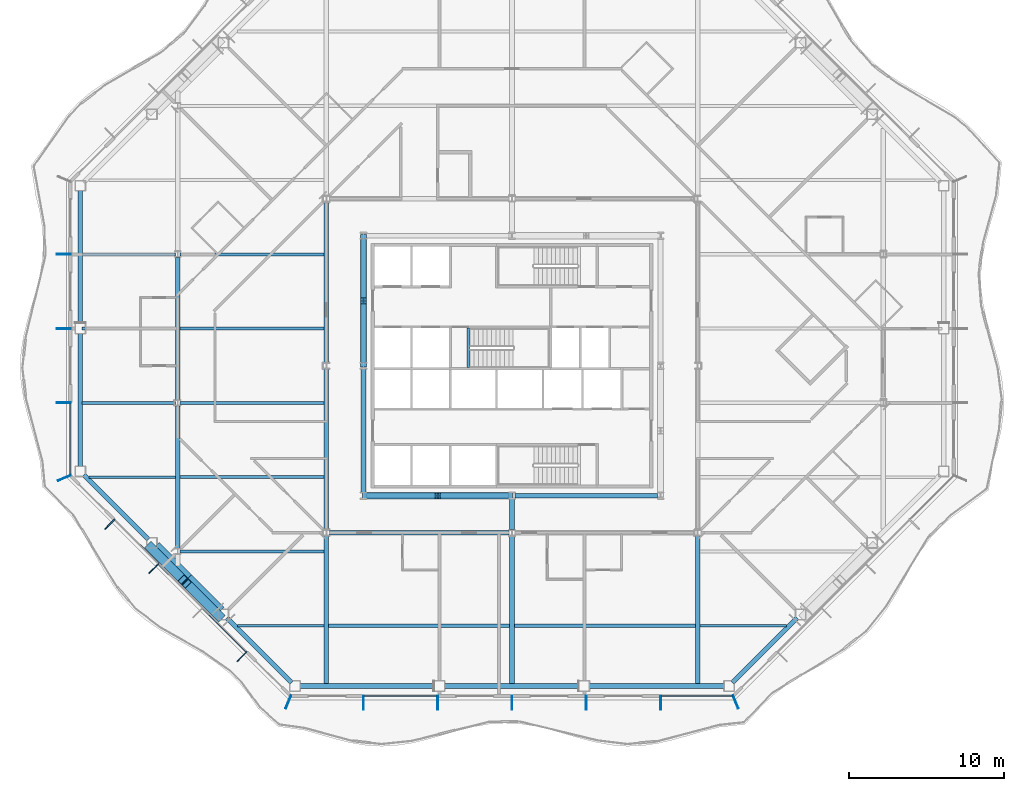
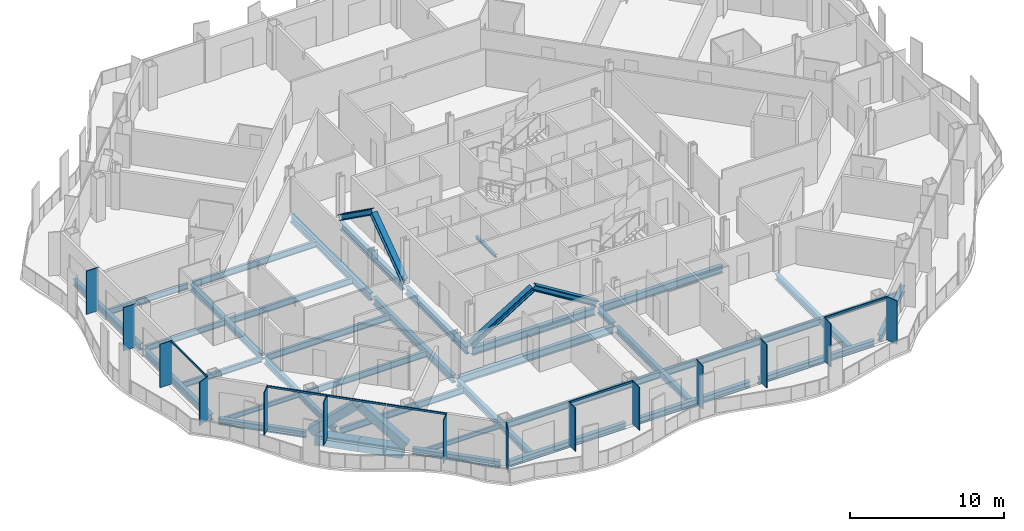
# One storey, part 3 of 21: 37 beams, 26 members, 4 elements without a shape of their own.
"""IFC4 building model written with IfcOpenShell, lengths in metres."""

from ifc_helpers import new_model, si_unit, direction, frame, origin, origin_2d, place, context, subcontext, project, spatial, rectangle, hollow_rectangle, i_section, extrude, material, material_profile, profile_set, type_object, element, aggregate, save


model = new_model("IFC4")

# Units and contexts
model_context = context("Model", 3, precision=1e-05, world=origin(), true_north=direction((0.0, 1.0)))
body_context = subcontext(model_context, "Body", "Model", "MODEL_VIEW")
ifc_project = project(units=[si_unit("LENGTHUNIT", "METRE"), si_unit("AREAUNIT", "SQUARE_METRE"), si_unit("VOLUMEUNIT", "CUBIC_METRE"), si_unit("PLANEANGLEUNIT", "RADIAN"), si_unit("MASSUNIT", "GRAM", prefix="KILO")], contexts=[model_context])

# Site, building, storey
site_placement = place(None, origin())
site = spatial("IfcSite", under=ifc_project, at=site_placement, CompositionType="ELEMENT")
building_placement = place(site_placement, origin())
building = spatial("IfcBuilding", under=site, at=building_placement, Name="Cairn Pilgrim Tower", CompositionType="ELEMENT")
storey_placement = place(building_placement, frame((0.0, 0.0, 129.0)))
storey = spatial("IfcBuildingStorey", under=building, at=storey_placement, Name="L31", CompositionType="ELEMENT", Elevation=129.0)

# Members
ifc_material_1 = material(Name="Structural steel S460M", Category="steel")
ifc_material_profile_1 = material_profile(ifc_material_1, hollow_rectangle(XDim=0.60009765625, YDim=0.60009765625, WallThickness=0.034912109375, at=origin_2d()), Name="BOX 600x600x35")
ifc_profile_set_1 = profile_set([ifc_material_profile_1], Name="Structural steel S460M")
member_type_1 = type_object("IfcMemberType", Name="BOX 600x600x35 BRACE", PredefinedType="BRACE", material=ifc_profile_set_1)
for number, where, z_axis, x_axis, name in (
    (1, (-16.213623046875, -9.288330078125, 0.14990234375), (0.535555986925, -0.535555986925, 0.652962150311), (0.707106781187, 0.707106781187, 0.0), "XB-SW2-SW3-1"),
    (2, (-11.6884765625, -13.813720703125, 0.14990234375), (-0.535512846393, 0.535573335815, 0.652983302476), (-0.707146713802, -0.707066846316, 0.0), "XB-SW2-SW3-2"),
):
    element("IfcMember", number, at=place(storey_placement, frame(where, z_axis=z_axis, x_axis=x_axis)), inside=storey, type_object=member_type_1, Name=name, PredefinedType="BRACE", context=body_context, shape_type="SweptSolid", body=[
        extrude(hollow_rectangle(XDim=0.60009765625, YDim=0.60009765625, WallThickness=0.034912109375, at=origin_2d()), origin(), (0.0, 0.0, 1.0), 4.0361328125),
    ])

# Beams
ifc_material_2 = material(Name="Structural steel S355J2", Category="steel")
ifc_material_profile_2 = material_profile(ifc_material_2, hollow_rectangle(XDim=0.699951171875, YDim=0.800048828125, WallThickness=0.0400390625, at=origin_2d()), Name="BOX 700x800x40")
ifc_profile_set_2 = profile_set([ifc_material_profile_2], Name="Structural steel S355J2")
beam_type_1 = type_object("IfcBeamType", Name="BOX 700x800x40 RING GIRDER", PredefinedType="SPANDREL", material=ifc_profile_set_2)
for number, where, z_axis, x_axis, name in (
    (3, (-15.85302734375, -9.274169921875, -0.550048828125), (0.707106781187, -0.707106781187, 0.0), (0.707106781187, 0.707106781187, 0.0), "RG2-SW2-SW3-1"),
    (4, (-13.763671875, -11.363525390625, -0.550048828125), (0.707106781187, -0.707106781187, 0.0), (0.707106781187, 0.707106781187, 0.0), "RG2-SW2-SW3-2"),
):
    element("IfcBeam", number, at=place(storey_placement, frame(where, z_axis=z_axis, x_axis=x_axis)), inside=storey, type_object=beam_type_1, Name=name, PredefinedType="SPANDREL", context=body_context, shape_type="SweptSolid", body=[
        extrude(hollow_rectangle(XDim=0.699951171875, YDim=0.800048828125, WallThickness=0.0400390625, at=origin_2d()), origin(), (0.0, 0.0, 1.0), 2.954833984375),
    ])

# Curtain wall, members
ifc_material_3 = material(Name="Aluminium alloy 6063-T6 bronze anodised with Bronze tinted laminated low-E glass 8+16+8.8", Category="aluminium")
curtain_wall_type_1 = type_object("IfcCurtainWallType", Name="TOWER STICK CURTAIN WALL NS", PredefinedType="NOTDEFINED", material=ifc_material_3)
curtain_wall_1_placement = place(storey_placement, origin())
curtain_wall_1 = element("IfcCurtainWall", 5, at=curtain_wall_1_placement, inside=storey, type_object=curtain_wall_type_1, Name="Tower Stick Curtain Wall Ns S", PredefinedType="NOTDEFINED")
ifc_material_4 = material(Name="Aluminium alloy 6063-T6 bronze anodised", Category="aluminium")
ifc_material_profile_3 = material_profile(ifc_material_4, rectangle(XDim=0.89990234375, YDim=0.06005859375, at=origin_2d()), Name="FIN MULLION 60x900 BRONZE")
ifc_profile_set_3 = profile_set([ifc_material_profile_3], Name="Aluminium alloy 6063-T6 bronze anodised")
member_type_2 = type_object("IfcMemberType", Name="FIN MULLION 60x900 BRONZE", PredefinedType="MULLION", material=ifc_profile_set_3)
member_1_placement = place(storey_placement, frame((-7.257080078125, -19.338134765625, 0.0), z_axis=(0.0, 0.0, 1.0), x_axis=(-0.382683432365, -0.923879532511, 0.0)))
member_1 = element("IfcMember", 6, at=member_1_placement, type_object=member_type_2, Name="Fin mullion S1", PredefinedType="MULLION", context=body_context, shape_type="SweptSolid", body=[
    extrude(rectangle(XDim=0.89990234375, YDim=0.06005859375, at=origin_2d()), origin(), (0.0, 0.0, 1.0), 3.449951171875),
])
member_2_placement = place(storey_placement, frame((-2.39990234375, -19.3701171875, 0.0), z_axis=(0.0, 0.0, 1.0), x_axis=(0.0, -1.0, 0.0)))
member_2 = element("IfcMember", 7, at=member_2_placement, type_object=member_type_2, Name="Fin mullion S2", PredefinedType="MULLION", context=body_context, shape_type="SweptSolid", body=[
    extrude(rectangle(XDim=0.89990234375, YDim=0.06005859375, at=origin_2d()), origin(), (0.0, 0.0, 1.0), 3.449951171875),
])
member_3_placement = place(storey_placement, frame((2.39990234375, -19.3701171875, 0.0), z_axis=(0.0, 0.0, 1.0), x_axis=(0.0, -1.0, 0.0)))
member_3 = element("IfcMember", 8, at=member_3_placement, type_object=member_type_2, Name="Fin mullion S3", PredefinedType="MULLION", context=body_context, shape_type="SweptSolid", body=[
    extrude(rectangle(XDim=0.89990234375, YDim=0.06005859375, at=origin_2d()), origin(), (0.0, 0.0, 1.0), 3.449951171875),
])
member_4_placement = place(storey_placement, frame((7.199951171875, -19.3701171875, 0.0), z_axis=(0.0, 0.0, 1.0), x_axis=(0.0, -1.0, 0.0)))
member_4 = element("IfcMember", 9, at=member_4_placement, type_object=member_type_2, Name="Fin mullion S4", PredefinedType="MULLION", context=body_context, shape_type="SweptSolid", body=[
    extrude(rectangle(XDim=0.89990234375, YDim=0.06005859375, at=origin_2d()), origin(), (0.0, 0.0, 1.0), 3.449951171875),
])
member_5_placement = place(storey_placement, frame((12.0, -19.3701171875, 0.0), z_axis=(0.0, 0.0, 1.0), x_axis=(0.0, -1.0, 0.0)))
member_5 = element("IfcMember", 10, at=member_5_placement, type_object=member_type_2, Name="Fin mullion S5", PredefinedType="MULLION", context=body_context, shape_type="SweptSolid", body=[
    extrude(rectangle(XDim=0.89990234375, YDim=0.06005859375, at=origin_2d()), origin(), (0.0, 0.0, 1.0), 3.449951171875),
])
member_6_placement = place(storey_placement, frame((16.800048828125, -19.3701171875, 0.0), z_axis=(0.0, 0.0, 1.0), x_axis=(0.0, -1.0, 0.0)))
member_6 = element("IfcMember", 11, at=member_6_placement, type_object=member_type_2, Name="Fin mullion S6", PredefinedType="MULLION", context=body_context, shape_type="SweptSolid", body=[
    extrude(rectangle(XDim=0.89990234375, YDim=0.06005859375, at=origin_2d()), origin(), (0.0, 0.0, 1.0), 3.449951171875),
])

# Curtain wall, member
curtain_wall_type_2 = type_object("IfcCurtainWallType", Name="CHAMFER CORNER CURTAIN WALL", PredefinedType="NOTDEFINED", material=ifc_material_3)
curtain_wall_2_placement = place(storey_placement, origin())
curtain_wall_2 = element("IfcCurtainWall", 12, at=curtain_wall_2_placement, inside=storey, type_object=curtain_wall_type_2, Name="Chamfer Corner Curtain Wall SE", PredefinedType="NOTDEFINED")
member_7_placement = place(storey_placement, frame((21.6572265625, -19.338134765625, 0.0), z_axis=(0.0, 0.0, 1.0), x_axis=(0.382683432365, -0.923879532511, 0.0)))
member_7 = element("IfcMember", 13, at=member_7_placement, type_object=member_type_2, Name="Fin mullion SE1", PredefinedType="MULLION", context=body_context, shape_type="SweptSolid", body=[
    extrude(rectangle(XDim=0.89990234375, YDim=0.06005859375, at=origin_2d()), origin(), (0.0, 0.0, 1.0), 3.449951171875),
])
aggregate(curtain_wall_2, [member_7])

# Curtain wall, members
curtain_wall_type_3 = type_object("IfcCurtainWallType", Name="TOWER STICK CURTAIN WALL EW", PredefinedType="NOTDEFINED", material=ifc_material_3)
curtain_wall_3_placement = place(storey_placement, origin())
curtain_wall_3 = element("IfcCurtainWall", 14, at=curtain_wall_3_placement, inside=storey, type_object=curtain_wall_type_3, Name="Tower Stick Curtain Wall Ew W", PredefinedType="NOTDEFINED")
member_8_placement = place(storey_placement, frame((-21.77001953125, 9.60009765625, 0.0), z_axis=(0.0, 0.0, 1.0), x_axis=(-1.0, 0.0, 0.0)))
member_8 = element("IfcMember", 15, at=member_8_placement, type_object=member_type_2, Name="Fin mullion W2", PredefinedType="MULLION", context=body_context, shape_type="SweptSolid", body=[
    extrude(rectangle(XDim=0.89990234375, YDim=0.06005859375, at=origin_2d()), origin(), (0.0, 0.0, 1.0), 3.449951171875),
])
member_9_placement = place(storey_placement, frame((-21.77001953125, 4.800048828125, 0.0), z_axis=(0.0, 0.0, 1.0), x_axis=(-1.0, 0.0, 0.0)))
member_9 = element("IfcMember", 16, at=member_9_placement, type_object=member_type_2, Name="Fin mullion W3", PredefinedType="MULLION", context=body_context, shape_type="SweptSolid", body=[
    extrude(rectangle(XDim=0.89990234375, YDim=0.06005859375, at=origin_2d()), origin(), (0.0, 0.0, 1.0), 3.449951171875),
])
member_10_placement = place(storey_placement, frame((-21.77001953125, 0.0, 0.0), z_axis=(0.0, 0.0, 1.0), x_axis=(-1.0, 0.0, 0.0)))
member_10 = element("IfcMember", 17, at=member_10_placement, type_object=member_type_2, Name="Fin mullion W4", PredefinedType="MULLION", context=body_context, shape_type="SweptSolid", body=[
    extrude(rectangle(XDim=0.89990234375, YDim=0.06005859375, at=origin_2d()), origin(), (0.0, 0.0, 1.0), 3.449951171875),
])

curtain_wall_4_placement = place(storey_placement, origin())
curtain_wall_4 = element("IfcCurtainWall", 18, at=curtain_wall_4_placement, inside=storey, type_object=curtain_wall_type_2, Name="Chamfer Corner Curtain Wall SW", PredefinedType="NOTDEFINED")
member_11_placement = place(storey_placement, frame((-21.738037109375, -4.857177734375, 0.0), z_axis=(0.0, 0.0, 1.0), x_axis=(-0.923879532511, -0.382683432365, 0.0)))
member_11 = element("IfcMember", 19, at=member_11_placement, type_object=member_type_2, Name="Fin mullion SW1", PredefinedType="MULLION", context=body_context, shape_type="SweptSolid", body=[
    extrude(rectangle(XDim=0.89990234375, YDim=0.06005859375, at=origin_2d()), origin(), (0.0, 0.0, 1.0), 3.449951171875),
])
member_12_placement = place(storey_placement, frame((-18.79638671875, -7.84423828125, 0.0), z_axis=(0.0, 0.0, 1.0), x_axis=(-0.707106781187, -0.707106781187, 0.0)))
member_12 = element("IfcMember", 20, at=member_12_placement, type_object=member_type_2, Name="Fin mullion SW2", PredefinedType="MULLION", context=body_context, shape_type="SweptSolid", body=[
    extrude(rectangle(XDim=0.89990234375, YDim=0.06005859375, at=origin_2d()), origin(), (0.0, 0.0, 1.0), 3.449951171875),
])
member_13_placement = place(storey_placement, frame((-15.945556640625, -10.69482421875, 0.0), z_axis=(0.0, 0.0, 1.0), x_axis=(-0.707106781187, -0.707106781187, 0.0)))
member_13 = element("IfcMember", 21, at=member_13_placement, type_object=member_type_2, Name="Fin mullion SW3", PredefinedType="MULLION", context=body_context, shape_type="SweptSolid", body=[
    extrude(rectangle(XDim=0.89990234375, YDim=0.06005859375, at=origin_2d()), origin(), (0.0, 0.0, 1.0), 3.449951171875),
])
member_14_placement = place(storey_placement, frame((-10.244140625, -16.396240234375, 0.0), z_axis=(0.0, 0.0, 1.0), x_axis=(-0.707106781187, -0.707106781187, 0.0)))
member_14 = element("IfcMember", 22, at=member_14_placement, type_object=member_type_2, Name="Fin mullion SW5", PredefinedType="MULLION", context=body_context, shape_type="SweptSolid", body=[
    extrude(rectangle(XDim=0.89990234375, YDim=0.06005859375, at=origin_2d()), origin(), (0.0, 0.0, 1.0), 3.449951171875),
])

# Members
ifc_material_profile_4 = material_profile(ifc_material_1, i_section(OverallWidth=0.408935546875, OverallDepth=0.425048828125, WebThickness=0.03271484375, FlangeThickness=0.052490234375, FilletRadius=0.014892578125, at=origin_2d()), Name="HD 400x421")
ifc_profile_set_4 = profile_set([ifc_material_profile_4], Name="Structural steel S460M")
member_type_3 = type_object("IfcMemberType", Name="HD 400x421 BRACE", PredefinedType="BRACE", material=ifc_profile_set_4)
for number, where, z_axis, x_axis, name in (
    (23, (-2.357666015625, -6.0, 0.10009765625), (0.85108304523, 0.0, 0.525031094434), (0.0, 1.0, 0.0), "KB-1A"),
    (24, (7.15771484375, -6.0, 0.10009765625), (-0.851095219931, 0.0, 0.525011358553), (0.0, -1.0, 0.0), "KB-1B"),
):
    element("IfcMember", number, at=place(storey_placement, frame(where, z_axis=z_axis, x_axis=x_axis)), inside=storey, type_object=member_type_3, Name=name, PredefinedType="BRACE", context=body_context, shape_type="SweptSolid", body=[
        extrude(i_section(OverallWidth=0.408935546875, OverallDepth=0.425048828125, WebThickness=0.03271484375, FlangeThickness=0.052490234375, FilletRadius=0.014892578125, at=origin_2d()), origin(), (0.0, 0.0, 1.0), 5.527587890625),
    ])
for number, where, z_axis, x_axis, name in (
    (25, (-2.39990234375, 10.757568359375, 0.10009765625), (0.0, -0.814281054922, 0.58047081201), (1.0, 0.0, 0.0), "KB-4A"),
    (26, (-2.39990234375, 2.4423828125, 0.10009765625), (0.0, 0.814281054922, 0.58047081201), (-1.0, 0.0, 0.0), "KB-4B"),
):
    element("IfcMember", number, at=place(storey_placement, frame(where, z_axis=z_axis, x_axis=x_axis)), inside=storey, type_object=member_type_3, Name=name, PredefinedType="BRACE", context=body_context, shape_type="SweptSolid", body=[
        extrude(i_section(OverallWidth=0.408935546875, OverallDepth=0.425048828125, WebThickness=0.03271484375, FlangeThickness=0.052490234375, FilletRadius=0.014892578125, at=origin_2d()), origin(), (0.0, 0.0, 1.0), 4.99755859375),
    ])

# Beams
ifc_material_profile_5 = material_profile(ifc_material_2, i_section(OverallWidth=0.300048828125, OverallDepth=0.39990234375, WebThickness=0.013427734375, FlangeThickness=0.02392578125, FilletRadius=0.027099609375, at=origin_2d()), Name="HEB 400")
ifc_profile_set_5 = profile_set([ifc_material_profile_5], Name="Structural steel S355J2")
beam_type_2 = type_object("IfcBeamType", Name="HEB 400 GIRDER", PredefinedType="BEAM", material=ifc_profile_set_5)
beam_1_placement = place(storey_placement, frame((7.199951171875, -8.195556640625, -0.35009765625), z_axis=(0.0, 1.0, 0.0), x_axis=(-1.0, 0.0, 0.0)))
element("IfcBeam", 27, at=beam_1_placement, inside=storey, type_object=beam_type_2, Name="PG3-E1", PredefinedType="BEAM", context=body_context, shape_type="SweptSolid", body=[
    extrude(i_section(OverallWidth=0.300048828125, OverallDepth=0.39990234375, WebThickness=0.013427734375, FlangeThickness=0.02392578125, FilletRadius=0.027099609375, at=origin_2d()), origin(), (0.0, 0.0, 1.0), 1.983642578125),
])
ifc_material_profile_6 = material_profile(ifc_material_2, i_section(OverallWidth=0.300048828125, OverallDepth=0.5, WebThickness=0.014404296875, FlangeThickness=0.028076171875, FilletRadius=0.027099609375, at=origin_2d()), Name="HEB 500")
ifc_profile_set_6 = profile_set([ifc_material_profile_6], Name="Structural steel S355J2")
beam_type_3 = type_object("IfcBeamType", Name="HEB 500 GIRDER", PredefinedType="BEAM", material=ifc_profile_set_6)
for number, where, z_axis, x_axis, name in (
    (28, (-14.39990234375, -9.400390625, -0.39990234375), (0.0, 1.0, 0.0), (-1.0, 0.0, 0.0), "PG1-1"),
    (29, (-14.39990234375, 0.199462890625, -0.39990234375), (0.0, 1.0, 0.0), (-1.0, 0.0, 0.0), "PG1-2"),
):
    element("IfcBeam", number, at=place(storey_placement, frame(where, z_axis=z_axis, x_axis=x_axis)), inside=storey, type_object=beam_type_3, Name=name, PredefinedType="BEAM", context=body_context, shape_type="SweptSolid", body=[
        extrude(i_section(OverallWidth=0.300048828125, OverallDepth=0.5, WebThickness=0.014404296875, FlangeThickness=0.028076171875, FilletRadius=0.027099609375, at=origin_2d()), origin(), (0.0, 0.0, 1.0), 9.200927734375),
    ])
for number, where, z_axis, x_axis, name in (
    (30, (-4.800048828125, -18.179931640625, -0.39990234375), (0.0, 1.0, 0.0), (-1.0, 0.0, 0.0), "PG2-1"),
    (31, (7.199951171875, -18.179931640625, -0.39990234375), (0.0, 1.0, 0.0), (-1.0, 0.0, 0.0), "PG3-1"),
    (32, (19.199951171875, -18.179931640625, -0.39990234375), (0.0, 1.0, 0.0), (-1.0, 0.0, 0.0), "PG4-1"),
):
    element("IfcBeam", number, at=place(storey_placement, frame(where, z_axis=z_axis, x_axis=x_axis)), inside=storey, type_object=beam_type_3, Name=name, PredefinedType="BEAM", context=body_context, shape_type="SweptSolid", body=[
        extrude(i_section(OverallWidth=0.300048828125, OverallDepth=0.5, WebThickness=0.014404296875, FlangeThickness=0.028076171875, FilletRadius=0.027099609375, at=origin_2d()), origin(), (0.0, 0.0, 1.0), 9.575439453125),
    ])
ifc_material_profile_7 = material_profile(ifc_material_2, i_section(OverallWidth=0.300048828125, OverallDepth=0.5, WebThickness=0.014404296875, FlangeThickness=0.028076171875, FilletRadius=0.027099609375, at=origin_2d()), Name="HEB 500")
ifc_profile_set_7 = profile_set([ifc_material_profile_7], Name="Structural steel S355J2")
beam_type_4 = type_object("IfcBeamType", Name="HEB 500 RING GIRDER", PredefinedType="SPANDREL", material=ifc_profile_set_7)
for number, where, z_axis, x_axis, name in (
    (33, (-6.51220703125, -18.300048828125, -0.39990234375), (1.0, 0.0, 0.0), (0.0, 1.0, 0.0), "RG2-S1-S2"),
    (34, (2.83935546875, -18.300048828125, -0.39990234375), (1.0, 0.0, 0.0), (0.0, 1.0, 0.0), "RG2-S2-S3"),
    (35, (12.190673828125, -18.300048828125, -0.39990234375), (1.0, 0.0, 0.0), (0.0, 1.0, 0.0), "RG2-S3-SE1"),
):
    element("IfcBeam", number, at=place(storey_placement, frame(where, z_axis=z_axis, x_axis=x_axis)), inside=storey, type_object=beam_type_4, Name=name, PredefinedType="SPANDREL", context=body_context, shape_type="SweptSolid", body=[
        extrude(i_section(OverallWidth=0.300048828125, OverallDepth=0.5, WebThickness=0.014404296875, FlangeThickness=0.028076171875, FilletRadius=0.027099609375, at=origin_2d()), origin(), (0.0, 0.0, 1.0), 8.721435546875),
    ])
beam_2_placement = place(storey_placement, frame((21.449951171875, -18.077392578125, -0.39990234375), z_axis=(0.707086125179, 0.707127436591, 0.0), x_axis=(-0.707127436591, 0.707086125179, 0.0)))
element("IfcBeam", 36, at=beam_2_placement, inside=storey, type_object=beam_type_4, Name="RG2-SE1-SE2", PredefinedType="SPANDREL", context=body_context, shape_type="SweptSolid", body=[
    extrude(i_section(OverallWidth=0.300048828125, OverallDepth=0.5, WebThickness=0.014404296875, FlangeThickness=0.028076171875, FilletRadius=0.027099609375, at=origin_2d()), origin(), (0.0, 0.0, 1.0), 5.90966796875),
])
beam_3_placement = place(storey_placement, frame((-20.699951171875, 13.712158203125, -0.39990234375), z_axis=(0.0, -1.0, 0.0), x_axis=(1.0, 0.0, 0.0)))
element("IfcBeam", 37, at=beam_3_placement, inside=storey, type_object=beam_type_4, Name="RG2-W1-W2", PredefinedType="SPANDREL", context=body_context, shape_type="SweptSolid", body=[
    extrude(i_section(OverallWidth=0.300048828125, OverallDepth=0.5, WebThickness=0.014404296875, FlangeThickness=0.028076171875, FilletRadius=0.027099609375, at=origin_2d()), origin(), (0.0, 0.0, 1.0), 8.59716796875),
])
beam_4_placement = place(storey_placement, frame((-20.699951171875, 4.485107421875, -0.39990234375), z_axis=(0.0, -1.0, 0.0), x_axis=(1.0, 0.0, 0.0)))
element("IfcBeam", 38, at=beam_4_placement, inside=storey, type_object=beam_type_4, Name="RG2-W2-SW1", PredefinedType="SPANDREL", context=body_context, shape_type="SweptSolid", body=[
    extrude(i_section(OverallWidth=0.300048828125, OverallDepth=0.5, WebThickness=0.014404296875, FlangeThickness=0.028076171875, FilletRadius=0.027099609375, at=origin_2d()), origin(), (0.0, 0.0, 1.0), 8.597412109375),
])
beam_5_placement = place(storey_placement, frame((-20.477294921875, -4.64990234375, -0.39990234375), z_axis=(0.707106781187, -0.707106781187, 0.0), x_axis=(0.707106781187, 0.707106781187, 0.0)))
element("IfcBeam", 39, at=beam_5_placement, inside=storey, type_object=beam_type_4, Name="RG2-SW1-SW2", PredefinedType="SPANDREL", context=body_context, shape_type="SweptSolid", body=[
    extrude(i_section(OverallWidth=0.300048828125, OverallDepth=0.5, WebThickness=0.014404296875, FlangeThickness=0.028076171875, FilletRadius=0.027099609375, at=origin_2d()), origin(), (0.0, 0.0, 1.0), 5.90966796875),
])
beam_6_placement = place(storey_placement, frame((-11.228759765625, -13.8984375, -0.39990234375), z_axis=(0.707106781187, -0.707106781187, 0.0), x_axis=(0.707106781187, 0.707106781187, 0.0)))
element("IfcBeam", 40, at=beam_6_placement, inside=storey, type_object=beam_type_4, Name="RG2-SW3-S1", PredefinedType="SPANDREL", context=body_context, shape_type="SweptSolid", body=[
    extrude(i_section(OverallWidth=0.300048828125, OverallDepth=0.5, WebThickness=0.014404296875, FlangeThickness=0.028076171875, FilletRadius=0.027099609375, at=origin_2d()), origin(), (0.0, 0.0, 1.0), 5.909912109375),
])
ifc_material_profile_8 = material_profile(ifc_material_2, i_section(OverallWidth=0.300048828125, OverallDepth=0.60009765625, WebThickness=0.015380859375, FlangeThickness=0.030029296875, FilletRadius=0.027099609375, at=origin_2d()), Name="HEB 600")
ifc_profile_set_8 = profile_set([ifc_material_profile_8], Name="Structural steel S355J2")
beam_type_5 = type_object("IfcBeamType", Name="HEB 600 CORE BEAM", PredefinedType="BEAM", material=ifc_profile_set_8)
beam_7_placement = place(storey_placement, frame((-2.209228515625, -6.0, -0.449951171875), z_axis=(1.0, 0.0, 0.0), x_axis=(0.0, 1.0, 0.0)))
element("IfcBeam", 41, at=beam_7_placement, inside=storey, type_object=beam_type_5, Name="CB-1", PredefinedType="BEAM", context=body_context, shape_type="SweptSolid", body=[
    extrude(i_section(OverallWidth=0.300048828125, OverallDepth=0.60009765625, WebThickness=0.015380859375, FlangeThickness=0.030029296875, FilletRadius=0.027099609375, at=origin_2d()), origin(), (0.0, 0.0, 1.0), 9.218505859375),
])
beam_8_placement = place(storey_placement, frame((7.390869140625, -6.0, -0.449951171875), z_axis=(1.0, 0.0, 0.0), x_axis=(0.0, 1.0, 0.0)))
element("IfcBeam", 42, at=beam_8_placement, inside=storey, type_object=beam_type_5, Name="CB-2", PredefinedType="BEAM", context=body_context, shape_type="SweptSolid", body=[
    extrude(i_section(OverallWidth=0.300048828125, OverallDepth=0.60009765625, WebThickness=0.015380859375, FlangeThickness=0.030029296875, FilletRadius=0.027099609375, at=origin_2d()), origin(), (0.0, 0.0, 1.0), 9.21826171875),
])
for number, where, z_axis, x_axis, name in (
    (43, (-2.39990234375, 10.609130859375, -0.449951171875), (0.0, -1.0, 0.0), (1.0, 0.0, 0.0), "CB-7"),
    (44, (-2.39990234375, 2.209228515625, -0.449951171875), (0.0, -1.0, 0.0), (1.0, 0.0, 0.0), "CB-8"),
):
    element("IfcBeam", number, at=place(storey_placement, frame(where, z_axis=z_axis, x_axis=x_axis)), inside=storey, type_object=beam_type_5, Name=name, PredefinedType="BEAM", context=body_context, shape_type="SweptSolid", body=[
        extrude(i_section(OverallWidth=0.300048828125, OverallDepth=0.60009765625, WebThickness=0.015380859375, FlangeThickness=0.030029296875, FilletRadius=0.027099609375, at=origin_2d()), origin(), (0.0, 0.0, 1.0), 8.018310546875),
    ])
ifc_material_profile_9 = material_profile(ifc_material_2, i_section(OverallWidth=0.300048828125, OverallDepth=0.60009765625, WebThickness=0.015380859375, FlangeThickness=0.030029296875, FilletRadius=0.027099609375, at=origin_2d()), Name="HEB 600")
ifc_profile_set_9 = profile_set([ifc_material_profile_9], Name="Structural steel S355J2")
beam_type_6 = type_object("IfcBeamType", Name="HEB 600 GIRDER", PredefinedType="BEAM", material=ifc_profile_set_9)
for number, where, z_axis, x_axis, name in (
    (45, (-4.800048828125, -8.195556640625, -0.449951171875), (0.0, 1.0, 0.0), (-1.0, 0.0, 0.0), "PG2-2"),
    (46, (-4.800048828125, 2.6044921875, -0.449951171875), (0.0, 1.0, 0.0), (-1.0, 0.0, 0.0), "PG2-3"),
):
    element("IfcBeam", number, at=place(storey_placement, frame(where, z_axis=z_axis, x_axis=x_axis)), inside=storey, type_object=beam_type_6, Name=name, PredefinedType="BEAM", context=body_context, shape_type="SweptSolid", body=[
        extrude(i_section(OverallWidth=0.300048828125, OverallDepth=0.60009765625, WebThickness=0.015380859375, FlangeThickness=0.030029296875, FilletRadius=0.027099609375, at=origin_2d()), origin(), (0.0, 0.0, 1.0), 10.39111328125),
    ])
ifc_material_profile_10 = material_profile(ifc_material_2, i_section(OverallWidth=0.300048828125, OverallDepth=0.60009765625, WebThickness=0.015380859375, FlangeThickness=0.030029296875, FilletRadius=0.027099609375, at=origin_2d()), Name="HEB 600")
ifc_profile_set_10 = profile_set([ifc_material_profile_10], Name="Structural steel S355J2")
beam_type_7 = type_object("IfcBeamType", Name="HEB 600 INNER GIRDER", PredefinedType="BEAM", material=ifc_profile_set_10)
beam_9_placement = place(storey_placement, frame((-4.595458984375, -8.39990234375, -0.449951171875), z_axis=(1.0, 0.0, 0.0), x_axis=(0.0, 1.0, 0.0)))
element("IfcBeam", 47, at=beam_9_placement, inside=storey, type_object=beam_type_7, Name="IG1-1", PredefinedType="BEAM", context=body_context, shape_type="SweptSolid", body=[
    extrude(i_section(OverallWidth=0.300048828125, OverallDepth=0.60009765625, WebThickness=0.015380859375, FlangeThickness=0.030029296875, FilletRadius=0.027099609375, at=origin_2d()), origin(), (0.0, 0.0, 1.0), 11.591064453125),
])
ifc_material_profile_11 = material_profile(ifc_material_2, i_section(OverallWidth=0.169921875, OverallDepth=0.360107421875, WebThickness=0.008056640625, FlangeThickness=0.0126953125, FilletRadius=0.01806640625, at=origin_2d()), Name="IPE 360")
ifc_profile_set_11 = profile_set([ifc_material_profile_11], Name="Structural steel S355J2")
beam_type_8 = type_object("IfcBeamType", Name="IPE 360 SECONDARY BEAM", PredefinedType="JOIST", material=ifc_profile_set_11)
beam_10_placement = place(storey_placement, frame((-10.545166015625, -14.39990234375, -0.330078125), z_axis=(1.0, 0.0, 0.0), x_axis=(0.0, 1.0, 0.0)))
element("IfcBeam", 48, at=beam_10_placement, inside=storey, type_object=beam_type_8, Name="SB1-1", PredefinedType="JOIST", context=body_context, shape_type="SweptSolid", body=[
    extrude(i_section(OverallWidth=0.169921875, OverallDepth=0.360107421875, WebThickness=0.008056640625, FlangeThickness=0.0126953125, FilletRadius=0.01806640625, at=origin_2d()), origin(), (0.0, 0.0, 1.0), 5.59521484375),
])
for number, where, z_axis, x_axis, name in (
    (49, (19.35009765625, -14.39990234375, -0.330078125), (1.0, 0.0, 0.0), (0.0, 1.0, 0.0), "SB1-4"),
    (50, (-20.14501953125, -4.800048828125, -0.330078125), (1.0, 0.0, 0.0), (0.0, 1.0, 0.0), "SB3-1"),
):
    element("IfcBeam", number, at=place(storey_placement, frame(where, z_axis=z_axis, x_axis=x_axis)), inside=storey, type_object=beam_type_8, Name=name, PredefinedType="JOIST", context=body_context, shape_type="SweptSolid", body=[
        extrude(i_section(OverallWidth=0.169921875, OverallDepth=0.360107421875, WebThickness=0.008056640625, FlangeThickness=0.0126953125, FilletRadius=0.01806640625, at=origin_2d()), origin(), (0.0, 0.0, 1.0), 5.594970703125),
    ])
ifc_material_profile_12 = material_profile(ifc_material_2, i_section(OverallWidth=0.18994140625, OverallDepth=0.449951171875, WebThickness=0.009521484375, FlangeThickness=0.0146484375, FilletRadius=0.02099609375, at=origin_2d()), Name="IPE 450")
ifc_profile_set_12 = profile_set([ifc_material_profile_12], Name="Structural steel S355J2")
beam_type_9 = type_object("IfcBeamType", Name="IPE 450 SECONDARY BEAM", PredefinedType="JOIST", material=ifc_profile_set_12)
for number, where, z_axis, x_axis, name in (
    (51, (-20.580078125, 0.0, -0.375), (1.0, 0.0, 0.0), (0.0, 1.0, 0.0), "SB4-1"),
    (52, (-20.580078125, 4.800048828125, -0.375), (1.0, 0.0, 0.0), (0.0, 1.0, 0.0), "SB5-1"),
    (53, (-20.580078125, 9.60009765625, -0.375), (1.0, 0.0, 0.0), (0.0, 1.0, 0.0), "SB6-1"),
):
    element("IfcBeam", number, at=place(storey_placement, frame(where, z_axis=z_axis, x_axis=x_axis)), inside=storey, type_object=beam_type_9, Name=name, PredefinedType="JOIST", context=body_context, shape_type="SweptSolid", body=[
        extrude(i_section(OverallWidth=0.18994140625, OverallDepth=0.449951171875, WebThickness=0.009521484375, FlangeThickness=0.0146484375, FilletRadius=0.02099609375, at=origin_2d()), origin(), (0.0, 0.0, 1.0), 6.030029296875),
    ])
ifc_material_profile_13 = material_profile(ifc_material_2, i_section(OverallWidth=0.199951171875, OverallDepth=0.5, WebThickness=0.01025390625, FlangeThickness=0.01611328125, FilletRadius=0.02099609375, at=origin_2d()), Name="IPE 500")
ifc_profile_set_13 = profile_set([ifc_material_profile_13], Name="Structural steel S355J2")
beam_type_10 = type_object("IfcBeamType", Name="IPE 500 SECONDARY BEAM", PredefinedType="JOIST", material=ifc_profile_set_13)
for number, where, z_axis, x_axis, name in (
    (54, (-14.25, -9.60009765625, -0.39990234375), (1.0, 0.0, 0.0), (0.0, 1.0, 0.0), "SB2-1"),
    (55, (-14.25, -4.800048828125, -0.39990234375), (1.0, 0.0, 0.0), (0.0, 1.0, 0.0), "SB3-2"),
    (56, (-14.25, 0.0, -0.39990234375), (1.0, 0.0, 0.0), (0.0, 1.0, 0.0), "SB4-2"),
    (57, (-14.25, 4.800048828125, -0.39990234375), (1.0, 0.0, 0.0), (0.0, 1.0, 0.0), "SB5-2"),
    (58, (-14.25, 9.60009765625, -0.39990234375), (1.0, 0.0, 0.0), (0.0, 1.0, 0.0), "SB6-2"),
):
    element("IfcBeam", number, at=place(storey_placement, frame(where, z_axis=z_axis, x_axis=x_axis)), inside=storey, type_object=beam_type_10, Name=name, PredefinedType="JOIST", context=body_context, shape_type="SweptSolid", body=[
        extrude(i_section(OverallWidth=0.199951171875, OverallDepth=0.5, WebThickness=0.01025390625, FlangeThickness=0.01611328125, FilletRadius=0.02099609375, at=origin_2d()), origin(), (0.0, 0.0, 1.0), 9.300048828125),
    ])
ifc_material_profile_14 = material_profile(ifc_material_2, i_section(OverallWidth=0.2099609375, OverallDepth=0.550048828125, WebThickness=0.010986328125, FlangeThickness=0.01708984375, FilletRadius=0.02392578125, at=origin_2d()), Name="IPE 550")
ifc_profile_set_14 = profile_set([ifc_material_profile_14], Name="Structural steel S355J2")
beam_type_11 = type_object("IfcBeamType", Name="IPE 550 SECONDARY BEAM", PredefinedType="JOIST", material=ifc_profile_set_14)
for number, where, z_axis, x_axis, name in (
    (59, (-4.64990234375, -14.39990234375, -0.425048828125), (1.0, 0.0, 0.0), (0.0, 1.0, 0.0), "SB1-2"),
    (60, (7.35009765625, -14.39990234375, -0.425048828125), (1.0, 0.0, 0.0), (0.0, 1.0, 0.0), "SB1-3"),
):
    element("IfcBeam", number, at=place(storey_placement, frame(where, z_axis=z_axis, x_axis=x_axis)), inside=storey, type_object=beam_type_11, Name=name, PredefinedType="JOIST", context=body_context, shape_type="SweptSolid", body=[
        extrude(i_section(OverallWidth=0.2099609375, OverallDepth=0.550048828125, WebThickness=0.010986328125, FlangeThickness=0.01708984375, FilletRadius=0.02392578125, at=origin_2d()), origin(), (0.0, 0.0, 1.0), 11.699951171875),
    ])
ifc_material_profile_15 = material_profile(ifc_material_2, i_section(OverallWidth=0.199951171875, OverallDepth=0.199951171875, WebThickness=0.009033203125, FlangeThickness=0.014892578125, FilletRadius=0.01806640625, at=origin_2d()), Name="HE 200 B")
ifc_profile_set_15 = profile_set([ifc_material_profile_15], Name="Structural steel S355J2")
beam_type_12 = type_object("IfcBeamType", Name="STAIR LANDING BEAM HE 200 B", PredefinedType="BEAM", material=ifc_profile_set_15)
beam_11_placement = place(storey_placement, frame((4.37548828125, 2.27490234375, -0.25), z_axis=(0.0, 1.0, 0.0), x_axis=(-1.0, 0.0, 0.0)))
element("IfcBeam", 61, at=beam_11_placement, inside=storey, type_object=beam_type_12, Name="STAIR LANDING BEAM LD-HE200B", PredefinedType="BEAM", context=body_context, shape_type="SweptSolid", body=[
    extrude(i_section(OverallWidth=0.199951171875, OverallDepth=0.199951171875, WebThickness=0.009033203125, FlangeThickness=0.014892578125, FilletRadius=0.01806640625, at=origin_2d()), origin(), (0.0, 0.0, 1.0), 2.550048828125),
])

# Member
ifc_material_profile_16 = material_profile(ifc_material_4, rectangle(XDim=0.080078125, YDim=0.14990234375, at=origin_2d()), Name="TRANSOM 80x150 BRONZE")
ifc_profile_set_16 = profile_set([ifc_material_profile_16], Name="Aluminium alloy 6063-T6 bronze anodised")
member_type_4 = type_object("IfcMemberType", Name="TRANSOM 80x150 BRONZE", PredefinedType="USERDEFINED", material=ifc_profile_set_16)
member_15_placement = place(storey_placement, frame((-2.3701171875, -18.949951171875, 3.375), z_axis=(1.0, 0.0, 0.0), x_axis=(0.0, 1.0, 0.0)))
member_15 = element("IfcMember", 62, at=member_15_placement, type_object=member_type_4, Name="Transom S2", ObjectType="TRANSOM", PredefinedType="USERDEFINED", context=body_context, shape_type="SweptSolid", body=[
    extrude(rectangle(XDim=0.080078125, YDim=0.14990234375, at=origin_2d()), origin(), (0.0, 0.0, 1.0), 4.740234375),
])

member_16_placement = place(storey_placement, frame((16.830078125, -18.949951171875, 3.375), z_axis=(1.0, 0.0, 0.0), x_axis=(0.0, 1.0, 0.0)))
member_16 = element("IfcMember", 63, at=member_16_placement, type_object=member_type_4, Name="Transom S6", ObjectType="TRANSOM", PredefinedType="USERDEFINED", context=body_context, shape_type="SweptSolid", body=[
    extrude(rectangle(XDim=0.080078125, YDim=0.14990234375, at=origin_2d()), origin(), (0.0, 0.0, 1.0), 4.62646484375),
])

aggregate(curtain_wall_1, [member_1, member_2, member_3, member_4, member_5, member_6, member_15, member_16])

member_17_placement = place(storey_placement, frame((-21.35009765625, -0.030029296875, 3.375), z_axis=(0.0, -1.0, 0.0), x_axis=(1.0, 0.0, 0.0)))
member_17 = element("IfcMember", 64, at=member_17_placement, type_object=member_type_4, Name="Transom W4", ObjectType="TRANSOM", PredefinedType="USERDEFINED", context=body_context, shape_type="SweptSolid", body=[
    extrude(rectangle(XDim=0.080078125, YDim=0.14990234375, at=origin_2d()), origin(), (0.0, 0.0, 1.0), 4.62646484375),
])

aggregate(curtain_wall_3, [member_8, member_9, member_10, member_17])

member_18_placement = place(storey_placement, frame((-18.47802734375, -7.568359375, 3.375), z_axis=(0.707106781187, -0.707106781187, 0.0), x_axis=(0.707106781187, 0.707106781187, 0.0)))
member_18 = element("IfcMember", 65, at=member_18_placement, type_object=member_type_4, Name="Transom SW2", ObjectType="TRANSOM", PredefinedType="USERDEFINED", context=body_context, shape_type="SweptSolid", body=[
    extrude(rectangle(XDim=0.080078125, YDim=0.14990234375, at=origin_2d()), origin(), (0.0, 0.0, 1.0), 3.9716796875),
])

member_19_placement = place(storey_placement, frame((-15.62744140625, -10.419189453125, 3.375), z_axis=(0.70713751761, -0.707076043427, 0.0), x_axis=(0.707076043427, 0.70713751761, 0.0)))
member_19 = element("IfcMember", 66, at=member_19_placement, type_object=member_type_4, Name="Transom SW3", ObjectType="TRANSOM", PredefinedType="USERDEFINED", context=body_context, shape_type="SweptSolid", body=[
    extrude(rectangle(XDim=0.080078125, YDim=0.14990234375, at=origin_2d()), origin(), (0.0, 0.0, 1.0), 3.971435546875),
])

member_20_placement = place(storey_placement, frame((-12.776611328125, -13.269775390625, 3.375), z_axis=(0.707106781187, -0.707106781187, 0.0), x_axis=(0.707106781187, 0.707106781187, 0.0)))
member_20 = element("IfcMember", 67, at=member_20_placement, type_object=member_type_4, Name="Transom SW4", ObjectType="TRANSOM", PredefinedType="USERDEFINED", context=body_context, shape_type="SweptSolid", body=[
    extrude(rectangle(XDim=0.080078125, YDim=0.14990234375, at=origin_2d()), origin(), (0.0, 0.0, 1.0), 3.9716796875),
])

aggregate(curtain_wall_4, [member_11, member_12, member_13, member_14, member_18, member_19, member_20])

save(model, "model.ifc")
